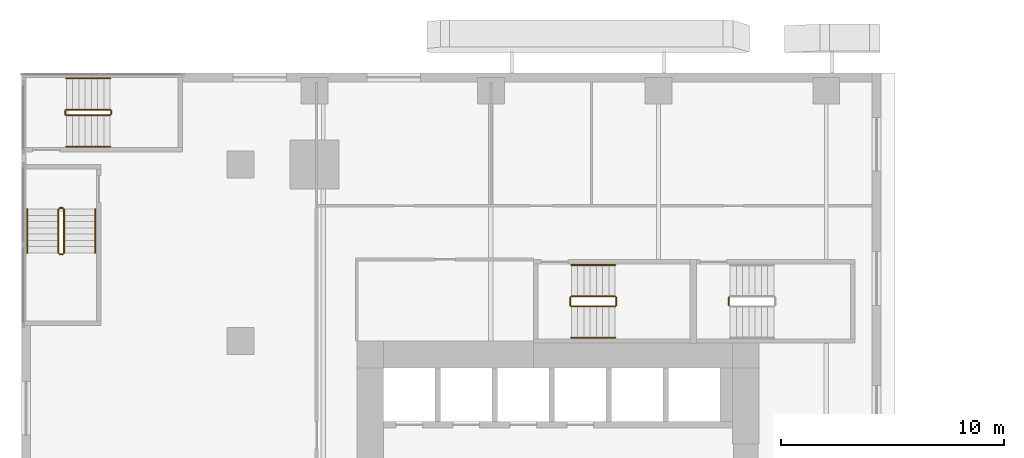
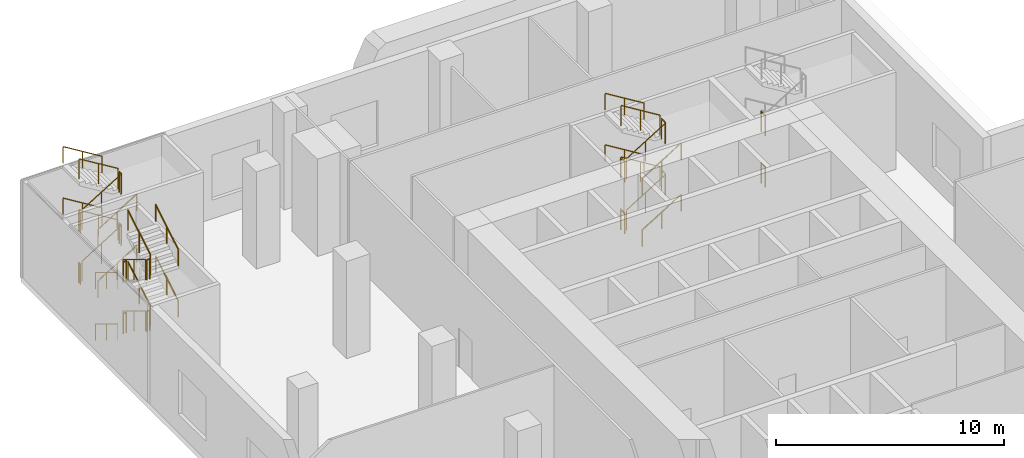
# One storey, part 19 of 23: 38 railings.
"""IFC4 building model written with IfcOpenShell, lengths in metres."""

from ifc_helpers import new_model, si_unit, direction, frame, origin, origin_2d, place, context, subcontext, project, spatial, circle, extrude, source, transform, mapped, material, type_object, element, save


model = new_model("IFC4")

# Units and contexts
model_context = context("Model", 3, precision=1e-05, world=origin(), true_north=direction((0.0, 1.0)))
body_context = subcontext(model_context, "Body", "Model", "MODEL_VIEW")
ifc_project = project(units=[si_unit("LENGTHUNIT", "METRE"), si_unit("AREAUNIT", "SQUARE_METRE"), si_unit("VOLUMEUNIT", "CUBIC_METRE"), si_unit("PLANEANGLEUNIT", "RADIAN"), si_unit("MASSUNIT", "GRAM", prefix="KILO")], contexts=[model_context])

# Site, building, storey
site_placement = place(None, origin())
site = spatial("IfcSite", under=ifc_project, at=site_placement, CompositionType="ELEMENT")
building_placement = place(site_placement, origin())
building = spatial("IfcBuilding", under=site, at=building_placement, Name="Khomas Fold Tower", CompositionType="ELEMENT")
storey_placement = place(building_placement, frame((0.0, 0.0, 7.5)))
storey = spatial("IfcBuildingStorey", under=building, at=storey_placement, Name="L01", CompositionType="ELEMENT", Elevation=7.5)

# Railings
ifc_material_1 = material(Name="Steel balustrade", Category="steel")
railing_type_1 = type_object("IfcRailingType", Name="Stair guard", PredefinedType="GUARDRAIL", material=ifc_material_1)
shared_shape_1 = source(origin(), body_context, "Body", "SweptSolid", [
    extrude(circle(Radius=0.02392578125, at=origin_2d()), frame((0.0, 0.0, 1.076171875), z_axis=(0.0, 1.0, 0.0), x_axis=(-1.0, 0.0, 0.0)), (0.0, 0.0, 1.0), 0.349853515625),
    extrude(circle(Radius=0.02099609375, at=origin_2d()), origin(), (0.0, 0.0, 1.0), 1.052001953125),
    extrude(circle(Radius=0.02099609375, at=origin_2d()), frame((0.0, 0.349853515625, 0.0)), (0.0, 0.0, 1.0), 1.052001953125),
])
for number, where, name in (
    (1, (17.610107421875, 43.60009765625, 1.375), "L01 ST1 stair guard 2"),
    (2, (15.550048828125, 43.60009765625, 2.75), "L01 ST1 stair guard 4"),
    (3, (17.610107421875, 43.60009765625, 4.125), "L01 ST1 stair guard 6"),
    (4, (15.550048828125, 43.60009765625, 0.0), "L01 ST1 stair guard 8"),
    (5, (22.64990234375, 43.60009765625, 2.75), "L01 ST3 stair guard 4"),
    (6, (22.64990234375, 43.60009765625, 0.0), "L01 ST3 stair guard 8"),
):
    element("IfcRailing", number, at=place(storey_placement, frame(where)), inside=storey, type_object=railing_type_1, Name=name, PredefinedType="GUARDRAIL", context=body_context, shape_type="MappedRepresentation", body=[
        mapped(shared_shape_1, transform((0.0, 0.0, 0.0))),
    ])
shared_shape_2 = source(origin(), body_context, "Body", "SweptSolid", [
    extrude(circle(Radius=0.02392578125, at=origin_2d()), frame((0.0, 0.0, 1.076171875), z_axis=(0.852240978134, 0.0, 0.523149419562), x_axis=(0.0, 1.0, 0.0)), (0.0, 0.0, 1.0), 2.2998046875),
    extrude(circle(Radius=0.02099609375, at=origin_2d()), origin(), (0.0, 0.0, 1.0), 1.052001953125),
    extrude(circle(Radius=0.02099609375, at=origin_2d()), frame((0.97998046875, 0.0, 0.6015625)), (0.0, 0.0, 1.0), 1.052001953125),
    extrude(circle(Radius=0.02099609375, at=origin_2d()), frame((1.9599609375, 0.0, 1.203125)), (0.0, 0.0, 1.0), 1.052001953125),
])
for number, where, name in (
    (7, (15.60009765625, 43.550048828125, 0.171875), "L01 ST1 stair guard 1"),
    (8, (15.60009765625, 43.550048828125, 2.921875), "L01 ST1 stair guard 5"),
    (9, (-7.0, 52.10009765625, 0.171875), "L01 PS7 stair guard 1"),
    (10, (-7.0, 52.10009765625, 2.921875), "L01 PS7 stair guard 5"),
):
    element("IfcRailing", number, at=place(storey_placement, frame(where)), inside=storey, type_object=railing_type_1, Name=name, PredefinedType="GUARDRAIL", context=body_context, shape_type="MappedRepresentation", body=[
        mapped(shared_shape_2, transform((0.0, 0.0, 0.0))),
    ])
shared_shape_3 = source(origin(), body_context, "Body", "SweptSolid", [
    extrude(circle(Radius=0.02392578125, at=origin_2d()), frame((0.0, 0.0, 1.076171875), z_axis=(-0.852240978134, 0.0, 0.523149419562), x_axis=(0.0, -1.0, 0.0)), (0.0, 0.0, 1.0), 2.2998046875),
    extrude(circle(Radius=0.02099609375, at=origin_2d()), origin(), (0.0, 0.0, 1.0), 1.052001953125),
    extrude(circle(Radius=0.02099609375, at=origin_2d()), frame((-0.97998046875, 0.0, 0.6015625)), (0.0, 0.0, 1.0), 1.052001953125),
    extrude(circle(Radius=0.02099609375, at=origin_2d()), frame((-1.9599609375, 0.0, 1.203125)), (0.0, 0.0, 1.0), 1.052001953125),
])
for number, where, name in (
    (11, (17.56005859375, 44.0, 1.546875), "L01 ST1 stair guard 3"),
    (12, (17.56005859375, 44.0, 4.296875), "L01 ST1 stair guard 7"),
    (13, (-5.0400390625, 52.35009765625, 1.546875), "L01 PS7 stair guard 3"),
    (14, (-5.0400390625, 52.35009765625, 4.296875), "L01 PS7 stair guard 7"),
):
    element("IfcRailing", number, at=place(storey_placement, frame(where)), inside=storey, type_object=railing_type_1, Name=name, PredefinedType="GUARDRAIL", context=body_context, shape_type="MappedRepresentation", body=[
        mapped(shared_shape_3, transform((0.0, 0.0, 0.0))),
    ])
ifc_material_2 = material(Name="Steel handrail", Category="steel")
railing_type_2 = type_object("IfcRailingType", Name="Stair handrail", PredefinedType="HANDRAIL", material=ifc_material_2)
shared_shape_4 = source(origin(), body_context, "Body", "SweptSolid", [
    extrude(circle(Radius=0.02392578125, at=origin_2d()), frame((0.0, 0.0, 0.8759765625), z_axis=(0.852240978134, 0.0, 0.523149419562), x_axis=(0.0, 1.0, 0.0)), (0.0, 0.0, 1.0), 2.2998046875),
    extrude(circle(Radius=0.02099609375, at=origin_2d()), origin(), (0.0, 0.0, 1.0), 0.851806640625),
    extrude(circle(Radius=0.02099609375, at=origin_2d()), frame((0.97998046875, 0.0, 0.6015625)), (0.0, 0.0, 1.0), 0.851806640625),
    extrude(circle(Radius=0.02099609375, at=origin_2d()), frame((1.9599609375, 0.0, 1.203125)), (0.0, 0.0, 1.0), 0.851806640625),
])
for number, where, name in (
    (15, (15.60009765625, 42.14990234375, 0.171875), "L01 ST1 stair handrail 1"),
    (16, (15.60009765625, 42.14990234375, 2.921875), "L01 ST1 stair handrail 3"),
    (17, (-7.0, 50.699951171875, 0.171875), "L01 PS7 stair handrail 1"),
    (18, (-7.0, 50.699951171875, 2.921875), "L01 PS7 stair handrail 3"),
):
    element("IfcRailing", number, at=place(storey_placement, frame(where)), inside=storey, type_object=railing_type_2, Name=name, PredefinedType="HANDRAIL", context=body_context, shape_type="MappedRepresentation", body=[
        mapped(shared_shape_4, transform((0.0, 0.0, 0.0))),
    ])
shared_shape_5 = source(origin(), body_context, "Body", "SweptSolid", [
    extrude(circle(Radius=0.02392578125, at=origin_2d()), frame((0.0, 0.0, 0.8759765625), z_axis=(-0.852240978134, 0.0, 0.523149419562), x_axis=(0.0, -1.0, 0.0)), (0.0, 0.0, 1.0), 2.2998046875),
    extrude(circle(Radius=0.02099609375, at=origin_2d()), origin(), (0.0, 0.0, 1.0), 0.851806640625),
    extrude(circle(Radius=0.02099609375, at=origin_2d()), frame((-0.97998046875, 0.0, 0.6015625)), (0.0, 0.0, 1.0), 0.851806640625),
    extrude(circle(Radius=0.02099609375, at=origin_2d()), frame((-1.9599609375, 0.0, 1.203125)), (0.0, 0.0, 1.0), 0.851806640625),
])
for number, where, name in (
    (19, (17.56005859375, 45.39990234375, 1.546875), "L01 ST1 stair handrail 2"),
    (20, (17.56005859375, 45.39990234375, 4.296875), "L01 ST1 stair handrail 4"),
    (21, (-5.0400390625, 53.75, 1.546875), "L01 PS7 stair handrail 2"),
    (22, (-5.0400390625, 53.75, 4.296875), "L01 PS7 stair handrail 4"),
):
    element("IfcRailing", number, at=place(storey_placement, frame(where)), inside=storey, type_object=railing_type_2, Name=name, PredefinedType="HANDRAIL", context=body_context, shape_type="MappedRepresentation", body=[
        mapped(shared_shape_5, transform((0.0, 0.0, 0.0))),
    ])
shared_shape_6 = source(origin(), body_context, "Body", "SweptSolid", [
    extrude(circle(Radius=0.02392578125, at=origin_2d()), frame((0.0, 0.0, 1.076171875), z_axis=(0.0, 1.0, 0.0), x_axis=(-1.0, 0.0, 0.0)), (0.0, 0.0, 1.0), 0.150146484375),
    extrude(circle(Radius=0.02099609375, at=origin_2d()), origin(), (0.0, 0.0, 1.0), 1.052001953125),
    extrude(circle(Radius=0.02099609375, at=origin_2d()), frame((0.0, 0.150146484375, 0.0)), (0.0, 0.0, 1.0), 1.052001953125),
])
for number, where, name in (
    (23, (-4.989990234375, 52.14990234375, 1.375), "L01 PS7 stair guard 2"),
    (24, (-7.050048828125, 52.14990234375, 2.75), "L01 PS7 stair guard 4"),
    (25, (-4.989990234375, 52.14990234375, 4.125), "L01 PS7 stair guard 6"),
    (26, (-7.050048828125, 52.14990234375, 0.0), "L01 PS7 stair guard 8"),
):
    element("IfcRailing", number, at=place(storey_placement, frame(where)), inside=storey, type_object=railing_type_1, Name=name, PredefinedType="GUARDRAIL", context=body_context, shape_type="MappedRepresentation", body=[
        mapped(shared_shape_6, transform((0.0, 0.0, 0.0))),
    ])
shared_shape_7 = source(origin(), body_context, "Body", "SweptSolid", [
    extrude(circle(Radius=0.02392578125, at=origin_2d()), frame((0.0, 0.0, 1.076171875), z_axis=(0.0, 0.852240978134, 0.523149419562), x_axis=(-1.0, 0.0, 0.0)), (0.0, 0.0, 1.0), 2.2998046875),
    extrude(circle(Radius=0.02099609375, at=origin_2d()), origin(), (0.0, 0.0, 1.0), 1.052001953125),
    extrude(circle(Radius=0.02099609375, at=origin_2d()), frame((0.0, 0.97998046875, 0.6015625)), (0.0, 0.0, 1.0), 1.052001953125),
    extrude(circle(Radius=0.02099609375, at=origin_2d()), frame((0.0, 1.9599609375, 1.203125)), (0.0, 0.0, 1.0), 1.052001953125),
])
for number, where, name in (
    (27, (-7.10009765625, 45.93994140625, 1.546875), "L01 PS8 stair guard 3"),
    (28, (-7.10009765625, 45.93994140625, 4.296875), "L01 PS8 stair guard 7"),
):
    element("IfcRailing", number, at=place(storey_placement, frame(where)), inside=storey, type_object=railing_type_1, Name=name, PredefinedType="GUARDRAIL", context=body_context, shape_type="MappedRepresentation", body=[
        mapped(shared_shape_7, transform((0.0, 0.0, 0.0))),
    ])
shared_shape_8 = source(origin(), body_context, "Body", "SweptSolid", [
    extrude(circle(Radius=0.02392578125, at=origin_2d()), frame((0.0, 0.0, 1.076171875), z_axis=(0.0, -0.852240978134, 0.523149419562), x_axis=(1.0, 0.0, 0.0)), (0.0, 0.0, 1.0), 2.2998046875),
    extrude(circle(Radius=0.02099609375, at=origin_2d()), origin(), (0.0, 0.0, 1.0), 1.052001953125),
    extrude(circle(Radius=0.02099609375, at=origin_2d()), frame((0.0, -0.97998046875, 0.6015625)), (0.0, 0.0, 1.0), 1.052001953125),
    extrude(circle(Radius=0.02099609375, at=origin_2d()), frame((0.0, -1.9599609375, 1.203125)), (0.0, 0.0, 1.0), 1.052001953125),
])
for number, where, name in (
    (29, (-7.35009765625, 47.89990234375, 0.171875), "L01 PS8 stair guard 1"),
    (30, (-7.35009765625, 47.89990234375, 2.921875), "L01 PS8 stair guard 5"),
):
    element("IfcRailing", number, at=place(storey_placement, frame(where)), inside=storey, type_object=railing_type_1, Name=name, PredefinedType="GUARDRAIL", context=body_context, shape_type="MappedRepresentation", body=[
        mapped(shared_shape_8, transform((0.0, 0.0, 0.0))),
    ])
shared_shape_9 = source(origin(), body_context, "Body", "SweptSolid", [
    extrude(circle(Radius=0.02392578125, at=origin_2d()), frame((0.0, 0.0, 0.8759765625), z_axis=(0.0, 0.852240978134, 0.523149419562), x_axis=(-1.0, 0.0, 0.0)), (0.0, 0.0, 1.0), 2.2998046875),
    extrude(circle(Radius=0.02099609375, at=origin_2d()), origin(), (0.0, 0.0, 1.0), 0.851806640625),
    extrude(circle(Radius=0.02099609375, at=origin_2d()), frame((0.0, 0.97998046875, 0.6015625)), (0.0, 0.0, 1.0), 0.851806640625),
    extrude(circle(Radius=0.02099609375, at=origin_2d()), frame((0.0, 1.9599609375, 1.203125)), (0.0, 0.0, 1.0), 0.851806640625),
])
for number, where, name in (
    (31, (-5.699951171875, 45.93994140625, 1.546875), "L01 PS8 stair handrail 2"),
    (32, (-5.699951171875, 45.93994140625, 4.296875), "L01 PS8 stair handrail 4"),
):
    element("IfcRailing", number, at=place(storey_placement, frame(where)), inside=storey, type_object=railing_type_2, Name=name, PredefinedType="HANDRAIL", context=body_context, shape_type="MappedRepresentation", body=[
        mapped(shared_shape_9, transform((0.0, 0.0, 0.0))),
    ])
shared_shape_10 = source(origin(), body_context, "Body", "SweptSolid", [
    extrude(circle(Radius=0.02392578125, at=origin_2d()), frame((0.0, 0.0, 0.8759765625), z_axis=(0.0, -0.852240978134, 0.523149419562), x_axis=(1.0, 0.0, 0.0)), (0.0, 0.0, 1.0), 2.2998046875),
    extrude(circle(Radius=0.02099609375, at=origin_2d()), origin(), (0.0, 0.0, 1.0), 0.851806640625),
    extrude(circle(Radius=0.02099609375, at=origin_2d()), frame((0.0, -0.97998046875, 0.6015625)), (0.0, 0.0, 1.0), 0.851806640625),
    extrude(circle(Radius=0.02099609375, at=origin_2d()), frame((0.0, -1.9599609375, 1.203125)), (0.0, 0.0, 1.0), 0.851806640625),
])
for number, where, name in (
    (33, (-8.75, 47.89990234375, 0.171875), "L01 PS8 stair handrail 1"),
    (34, (-8.75, 47.89990234375, 2.921875), "L01 PS8 stair handrail 3"),
):
    element("IfcRailing", number, at=place(storey_placement, frame(where)), inside=storey, type_object=railing_type_2, Name=name, PredefinedType="HANDRAIL", context=body_context, shape_type="MappedRepresentation", body=[
        mapped(shared_shape_10, transform((0.0, 0.0, 0.0))),
    ])
shared_shape_11 = source(origin(), body_context, "Body", "SweptSolid", [
    extrude(circle(Radius=0.02392578125, at=origin_2d()), frame((0.0, 0.0, 1.076171875), z_axis=(1.0, 0.0, 0.0), x_axis=(0.0, 1.0, 0.0)), (0.0, 0.0, 1.0), 0.150146484375),
    extrude(circle(Radius=0.02099609375, at=origin_2d()), origin(), (0.0, 0.0, 1.0), 1.052001953125),
    extrude(circle(Radius=0.02099609375, at=origin_2d()), frame((0.150146484375, 0.0, 0.0)), (0.0, 0.0, 1.0), 1.052001953125),
])
for number, where, name in (
    (35, (-7.300048828125, 45.889892578125, 1.375), "L01 PS8 stair guard 2"),
    (36, (-7.300048828125, 47.949951171875, 2.75), "L01 PS8 stair guard 4"),
    (37, (-7.300048828125, 45.889892578125, 4.125), "L01 PS8 stair guard 6"),
    (38, (-7.300048828125, 47.949951171875, 0.0), "L01 PS8 stair guard 8"),
):
    element("IfcRailing", number, at=place(storey_placement, frame(where)), inside=storey, type_object=railing_type_1, Name=name, PredefinedType="GUARDRAIL", context=body_context, shape_type="MappedRepresentation", body=[
        mapped(shared_shape_11, transform((0.0, 0.0, 0.0))),
    ])

save(model, "model.ifc")
